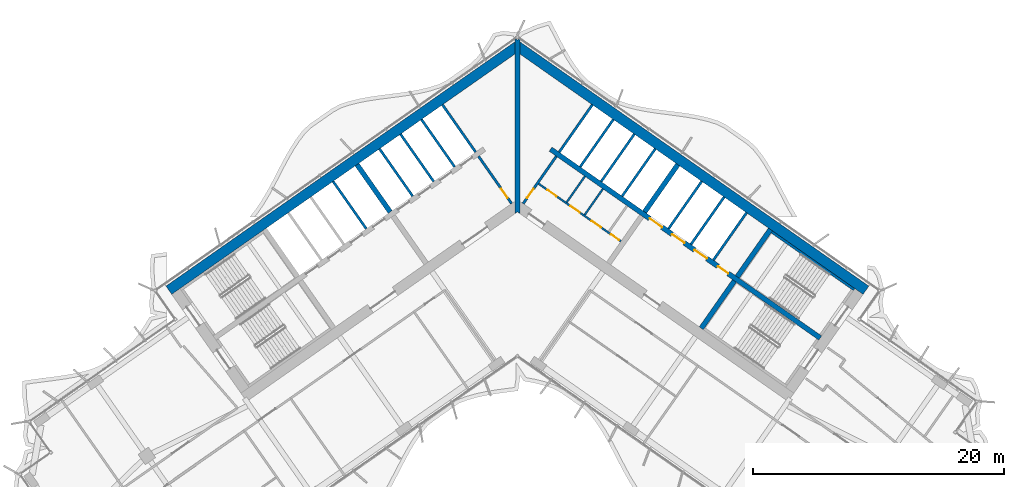
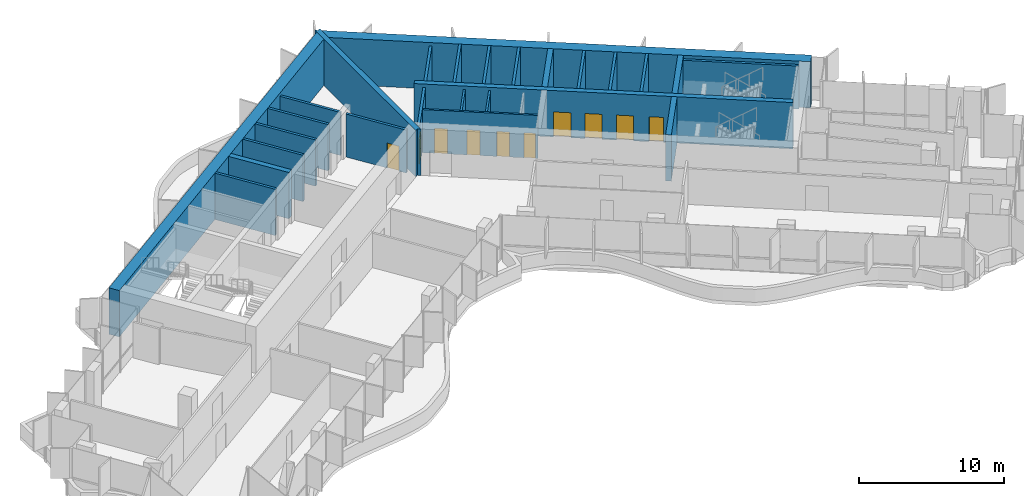
# One storey, part 14 of 21: 26 walls, 10 doors, 10 openings.
"""IFC4 building model written with IfcOpenShell, lengths in metres."""

import ifcopenshell
import ifcopenshell.guid

model = None  # the IFC model being written
_history = None  # IfcOwnerHistory: only IFC2X3 demands one
_inside = {}  # id of a spatial element -> (the spatial element, [elements in it])
_under = {}  # id of a project, library or spatial element -> (it, [spatial elements below it])
_declared = {}  # id of a project -> (the project, [libraries it declares])
_typed = {}  # id of a type object -> (the type object, [elements of that type])
_made_of = {}  # id of a material, layer set ... -> (it, [elements and type objects made of it])


def new_model(schema):
    """Start an empty IFC model of exactly this schema.

    Asked for "IFC4X3", IfcOpenShell would pick the latest addendum, in which some entities
    have other attributes; the version numbers below select the first issue.
    IFC2X3 requires an IfcOwnerHistory on every rooted entity: one is made here for all.
    """
    global model, _history
    if schema == "IFC4X3":
        model = ifcopenshell.file(schema_version=(4, 3, 0, 0))
    else:
        model = ifcopenshell.file(schema=schema)
    _inside.clear()
    _under.clear()
    _declared.clear()
    _typed.clear()
    _made_of.clear()
    _history = None
    if model.schema == "IFC2X3":
        org = make("IfcOrganization", Name="unknown")
        user = make(
            "IfcPersonAndOrganization",
            ThePerson=make("IfcPerson", FamilyName="unknown"),
            TheOrganization=org,
        )
        app = make(
            "IfcApplication",
            ApplicationDeveloper=org,
            Version="unknown",
            ApplicationFullName="unknown",
            ApplicationIdentifier="unknown",
        )
        _history = make(
            "IfcOwnerHistory",
            OwningUser=user,
            OwningApplication=app,
            ChangeAction="ADDED",
            CreationDate=0,
        )
    return model


def make(cls, **values):
    """One entity of the class cls with the attributes given. An attribute that is None is left unset."""
    return model.create_entity(
        cls, **{name: value for name, value in values.items() if value is not None}
    )


def rooted(cls, **values):
    """An entity with a GlobalId (a new one), such as an element, a storey or a relation."""
    return make(cls, GlobalId=ifcopenshell.guid.new(), OwnerHistory=_history, **values)


def si_unit(unit_type, name, prefix=None):
    """IfcSIUnit, for example si_unit("LENGTHUNIT", "METRE", prefix="MILLI")."""
    return make("IfcSIUnit", UnitType=unit_type, Prefix=prefix, Name=name)


def assignment(units):
    """IfcUnitAssignment: the units of a project."""
    return None if units is None else make("IfcUnitAssignment", Units=units)


def point(xyz):
    """IfcCartesianPoint."""
    return None if xyz is None else make("IfcCartesianPoint", Coordinates=xyz)


def direction(xyz):
    """IfcDirection."""
    return None if xyz is None else make("IfcDirection", DirectionRatios=xyz)


def frame(location, z_axis=None, x_axis=None):
    """IfcAxis2Placement3D, a coordinate frame: its origin and axes. An axis left out is left unset."""
    return make(
        "IfcAxis2Placement3D",
        Location=point(location),
        Axis=direction(z_axis),
        RefDirection=direction(x_axis),
    )


def frame_2d(location, x_axis=None):
    """IfcAxis2Placement2D, a coordinate frame in the plane: its origin and x axis."""
    return make(
        "IfcAxis2Placement2D", Location=point(location), RefDirection=direction(x_axis)
    )


def origin():
    """The frame at (0, 0, 0) with its axes left unset."""
    return frame((0.0, 0.0, 0.0))


def place(relative_to, where):
    """IfcLocalPlacement: puts the frame where relative to a parent placement (None: the world)."""
    return make(
        "IfcLocalPlacement", PlacementRelTo=relative_to, RelativePlacement=where
    )


def context(
    kind, dimensions, precision=None, world=None, true_north=None, identifier=None
):
    """IfcGeometricRepresentationContext, for example the 3D "Model" context."""
    return make(
        "IfcGeometricRepresentationContext",
        ContextIdentifier=identifier,
        ContextType=kind,
        CoordinateSpaceDimension=dimensions,
        Precision=precision,
        WorldCoordinateSystem=world,
        TrueNorth=true_north,
    )


def subcontext(parent, identifier, kind, view, scale=None):
    """IfcGeometricRepresentationSubContext, for example "Body" below "Model"."""
    return make(
        "IfcGeometricRepresentationSubContext",
        ContextIdentifier=identifier,
        ContextType=kind,
        ParentContext=parent,
        TargetScale=scale,
        TargetView=view,
    )


def project(units=None, contexts=None):
    """IfcProject with its units and contexts."""
    return rooted(
        "IfcProject",
        Name="project",
        RepresentationContexts=contexts,
        UnitsInContext=assignment(units),
    )


def spatial(cls, under=None, at=None, **own):
    """A site, building, storey or space (cls), placed at a placement, below another one or the project."""
    s = rooted(cls, ObjectPlacement=at, **own)
    if under is not None:
        _under.setdefault(under.id(), (under, []))[1].append(s)
    return s


def polyline(points):
    """IfcPolyline through the points."""
    return make("IfcPolyline", Points=[point(p) for p in points])


def profile(cls, at=None, kind="AREA", **sizes):
    """A parametric profile (cls). Its sizes go by their IFC names, for example OverallWidth=200.0."""
    return make(cls, ProfileType=kind, Position=at, **sizes)


def rectangle(**sizes):
    """IfcRectangleProfileDef."""
    return profile("IfcRectangleProfileDef", **sizes)


def outline(outer, holes=None, kind="AREA"):
    """IfcArbitraryClosedProfileDef: a profile drawn as a closed curve; with holes, ...WithVoids."""
    if holes is None:
        return make("IfcArbitraryClosedProfileDef", ProfileType=kind, OuterCurve=outer)
    return make(
        "IfcArbitraryProfileDefWithVoids",
        ProfileType=kind,
        OuterCurve=outer,
        InnerCurves=holes,
    )


def extrude(swept, where, along, depth):
    """IfcExtrudedAreaSolid: the profile swept, set in the frame where, extruded along a direction by depth."""
    return make(
        "IfcExtrudedAreaSolid",
        SweptArea=swept,
        Position=where,
        ExtrudedDirection=direction(along),
        Depth=depth,
    )


def shape(context_of_items, identifier, shape_type, items):
    """IfcShapeRepresentation: the items that make up one representation, for example the "Body"."""
    return make(
        "IfcShapeRepresentation",
        ContextOfItems=context_of_items,
        RepresentationIdentifier=identifier,
        RepresentationType=shape_type,
        Items=items,
    )


def material(Name=None, Category=None):
    """IfcMaterial."""
    return make("IfcMaterial", Name=Name, Category=Category)


def layer(
    of_material, thickness, ventilated=None, Name=None, Category=None, Priority=None
):
    """IfcMaterialLayer: one layer of a wall or slab, of a material (None: an air gap)."""
    return make(
        "IfcMaterialLayer",
        Material=of_material,
        LayerThickness=thickness,
        IsVentilated=ventilated,
        Name=Name,
        Category=Category,
        Priority=Priority,
    )


def layer_set(layers, Name=None):
    """IfcMaterialLayerSet."""
    return make("IfcMaterialLayerSet", MaterialLayers=layers, LayerSetName=Name)


def made_of(thing, what):
    """Note that an element or type object is made of a material, layer set ...; save() writes the relation."""
    if what is not None:
        _made_of.setdefault(what.id(), (what, []))[1].append(thing)
    return thing


def type_object(cls, material=None, **own):
    """A type object (cls), such as IfcWallType, which elements share."""
    return made_of(rooted(cls, **own), material)


def element(
    cls,
    number,
    at=None,
    inside=None,
    cuts=None,
    type_object=None,
    material=None,
    context=None,
    identifier="Body",
    shape_type=None,
    held_by="IfcProductDefinitionShape",
    body=None,
    shapes=None,
    **own,
):
    """One element of the class cls, such as IfcWall. Its Tag is "e" and its number.

    at: its placement. inside: the storey or other place that contains it. cuts: it is an
    opening in that element (IfcRelVoidsElement). A single representation is given by context,
    identifier, shape_type and body (its items); several are given by shapes. held_by: the class
    of the entity that holds the representations. save() writes the other relations.
    """
    e = rooted(cls, Tag="e%d" % number, ObjectPlacement=at, **own)
    if body is not None:
        shapes = [shape(context, identifier, shape_type, body)]
    if shapes is not None:
        e.Representation = make(held_by, Representations=shapes)
    if inside is not None:
        _inside.setdefault(inside.id(), (inside, []))[1].append(e)
    if cuts is not None:
        rooted(
            "IfcRelVoidsElement", RelatingBuildingElement=cuts, RelatedOpeningElement=e
        )
    if type_object is not None:
        _typed.setdefault(type_object.id(), (type_object, []))[1].append(e)
    return made_of(e, material)


def fill(opening, filler):
    """IfcRelFillsElement: the door or window that sits in an opening."""
    return rooted(
        "IfcRelFillsElement",
        RelatingOpeningElement=opening,
        RelatedBuildingElement=filler,
    )


def aggregate(whole, parts):
    """IfcRelAggregates: a whole, such as a stair, and the parts it consists of."""
    return rooted("IfcRelAggregates", RelatingObject=whole, RelatedObjects=parts)


def save(model, path):
    """Write the relations noted so far, then the file.

    IfcRelAggregates (storeys below a building ...), IfcRelContainedInSpatialStructure (elements
    in a storey), IfcRelDefinesByType, IfcRelAssociatesMaterial and IfcRelDeclares: one each for
    every whole, place, type object, material and project.
    """
    for whole, parts in _under.values():
        aggregate(whole, parts)
    for where, things in _inside.values():
        rooted(
            "IfcRelContainedInSpatialStructure",
            RelatedElements=things,
            RelatingStructure=where,
        )
    for kind, things in _typed.values():
        rooted("IfcRelDefinesByType", RelatedObjects=things, RelatingType=kind)
    for what, things in _made_of.values():
        rooted("IfcRelAssociatesMaterial", RelatedObjects=things, RelatingMaterial=what)
    for by, libraries in _declared.values():
        rooted("IfcRelDeclares", RelatingContext=by, RelatedDefinitions=libraries)
    model.write(path)


model = new_model("IFC4")

# Units and contexts
model_context = context("Model", 3, precision=1e-05, world=origin(), true_north=direction((0.0, 1.0)))
body_context = subcontext(model_context, "Body", "Model", "MODEL_VIEW")
ifc_project = project(units=[si_unit("LENGTHUNIT", "METRE"), si_unit("AREAUNIT", "SQUARE_METRE"), si_unit("VOLUMEUNIT", "CUBIC_METRE"), si_unit("PLANEANGLEUNIT", "RADIAN"), si_unit("MASSUNIT", "GRAM", prefix="KILO")], contexts=[model_context])

# Site, building, storey
site_placement = place(None, origin())
site = spatial("IfcSite", under=ifc_project, at=site_placement, CompositionType="ELEMENT")
building_placement = place(site_placement, origin())
building = spatial("IfcBuilding", under=site, at=building_placement, Name="Tel Ilan Convention Tower", CompositionType="ELEMENT")
storey_placement = place(building_placement, frame((0.0, 0.0, 151.5)))
storey = spatial("IfcBuildingStorey", under=building, at=storey_placement, Name="L34", CompositionType="ELEMENT", Elevation=151.5)

# Wall, openings, doors
ifc_material_1 = material(Name="Gypsum Plasterboard on Steel Stud", Category="steel")
ifc_layer_1 = layer(ifc_material_1, 0.14990234375)
ifc_layer_set_1 = layer_set([ifc_layer_1], Name="Core Room Partition Wall 150 mm EI 60")
wall_type_1 = type_object("IfcWallType", Name="Core Room Partition Wall 150 mm EI 60", PredefinedType="PARTITIONING", material=ifc_layer_set_1)
wall_1_placement = place(storey_placement, frame((1.687744140625, 1.015625, 0.0), z_axis=(0.0, 0.0, 1.0), x_axis=(0.819151624752, -0.573577035512, 0.0)))
wall_1 = element("IfcWall", 1, at=wall_1_placement, inside=storey, type_object=wall_type_1, Name="L34 core wall wc-h1", PredefinedType="PARTITIONING", context=body_context, shape_type="SweptSolid", body=[
    extrude(rectangle(XDim=8.0, YDim=0.14990234375, at=frame_2d((4.0, 0.0))), origin(), (0.0, 0.0, 1.0), 3.6201171875),
])
opening_1_placement = place(wall_1_placement, frame((0.85009765625, 0.0, 0.0)))
opening_1 = element("IfcOpeningElement", 2, at=opening_1_placement, cuts=wall_1, Name="Opening CD2711", PredefinedType="OPENING", context=body_context, shape_type="SweptSolid", body=[
    extrude(rectangle(XDim=0.89990234375, YDim=2.10009765625, at=frame_2d((0.449951171875, 1.050048828125))), frame((0.0, 0.0849609375, 0.0), z_axis=(0.0, -1.0, 0.0), x_axis=(1.0, 0.0, 0.0)), (0.0, 0.0, 1.0), 0.169921875),
])
opening_2_placement = place(wall_1_placement, frame((3.10009765625, 0.0, 0.0)))
opening_2 = element("IfcOpeningElement", 3, at=opening_2_placement, cuts=wall_1, Name="Opening CD2708", PredefinedType="OPENING", context=body_context, shape_type="SweptSolid", body=[
    extrude(rectangle(XDim=0.89990234375, YDim=2.10009765625, at=frame_2d((0.449951171875, 1.050048828125))), frame((0.0, 0.0849609375, 0.0), z_axis=(0.0, -1.0, 0.0), x_axis=(1.0, 0.0, 0.0)), (0.0, 0.0, 1.0), 0.169921875),
])
opening_3_placement = place(wall_1_placement, frame((5.14990234375, 0.0, 0.0)))
opening_3 = element("IfcOpeningElement", 4, at=opening_3_placement, cuts=wall_1, Name="Opening CD2710", PredefinedType="OPENING", context=body_context, shape_type="SweptSolid", body=[
    extrude(rectangle(XDim=0.89990234375, YDim=2.10009765625, at=frame_2d((0.449951171875, 1.050048828125))), frame((0.0, 0.0849609375, 0.0), z_axis=(0.0, -1.0, 0.0), x_axis=(1.0, 0.0, 0.0)), (0.0, 0.0, 1.0), 0.169921875),
])
opening_4_placement = place(wall_1_placement, frame((7.02490234375, 0.0, 0.0)))
opening_4 = element("IfcOpeningElement", 5, at=opening_4_placement, cuts=wall_1, Name="Opening CD2709", PredefinedType="OPENING", context=body_context, shape_type="SweptSolid", body=[
    extrude(rectangle(XDim=0.800048828125, YDim=2.10009765625, at=frame_2d((0.39990234375, 1.050048828125))), frame((0.0, 0.0849609375, 0.0), z_axis=(0.0, -1.0, 0.0), x_axis=(1.0, 0.0, 0.0)), (0.0, 0.0, 1.0), 0.169921875),
])
ifc_material_2 = material(Name="Galvanised Steel Door Leaf", Category="steel")
door_type_1 = type_object("IfcDoorType", Name="Store Door 800 x 2100 FD60", OperationType="NOTDEFINED", PredefinedType="DOOR", material=ifc_material_2)
door_1_placement = place(opening_4_placement, origin())
door_1 = element("IfcDoor", 6, at=door_1_placement, inside=storey, type_object=door_type_1, Name="Cleaner's store door", OperationType="SINGLE_SWING_RIGHT", OverallHeight=2.10009765625, OverallWidth=0.800048828125, PredefinedType="DOOR", context=body_context, shape_type="SweptSolid", body=[
    extrude(rectangle(XDim=0.800048828125, YDim=2.10009765625, at=frame_2d((0.39990234375, 1.050048828125))), frame((0.0, 0.02490234375, 0.0), z_axis=(0.0, -1.0, 0.0), x_axis=(1.0, 0.0, 0.0)), (0.0, 0.0, 1.0), 0.050048828125),
])
fill(opening_4, door_1)
ifc_material_3 = material(Name="Laminated Timber Door Leaf", Category="wood")
door_type_2 = type_object("IfcDoorType", Name="Toilet Door 900 x 2100 FD30S", OperationType="NOTDEFINED", PredefinedType="DOOR", material=ifc_material_3)
door_2_placement = place(opening_1_placement, origin())
door_2 = element("IfcDoor", 7, at=door_2_placement, inside=storey, type_object=door_type_2, Name="Women's WC door", OperationType="SINGLE_SWING_RIGHT", OverallHeight=2.10009765625, OverallWidth=0.89990234375, PredefinedType="DOOR", context=body_context, shape_type="SweptSolid", body=[
    extrude(rectangle(XDim=0.89990234375, YDim=2.10009765625, at=frame_2d((0.449951171875, 1.050048828125))), frame((0.0, 0.02490234375, 0.0), z_axis=(0.0, -1.0, 0.0), x_axis=(1.0, 0.0, 0.0)), (0.0, 0.0, 1.0), 0.050048828125),
])
fill(opening_1, door_2)
door_3_placement = place(opening_2_placement, origin())
door_3 = element("IfcDoor", 8, at=door_3_placement, inside=storey, type_object=door_type_2, Name="Accessible WC door", OperationType="SINGLE_SWING_RIGHT", OverallHeight=2.10009765625, OverallWidth=0.89990234375, PredefinedType="DOOR", context=body_context, shape_type="SweptSolid", body=[
    extrude(rectangle(XDim=0.89990234375, YDim=2.10009765625, at=frame_2d((0.449951171875, 1.050048828125))), frame((0.0, 0.02490234375, 0.0), z_axis=(0.0, -1.0, 0.0), x_axis=(1.0, 0.0, 0.0)), (0.0, 0.0, 1.0), 0.050048828125),
])
fill(opening_2, door_3)
door_4_placement = place(opening_3_placement, origin())
door_4 = element("IfcDoor", 9, at=door_4_placement, inside=storey, type_object=door_type_2, Name="Men's WC door", OperationType="SINGLE_SWING_RIGHT", OverallHeight=2.10009765625, OverallWidth=0.89990234375, PredefinedType="DOOR", context=body_context, shape_type="SweptSolid", body=[
    extrude(rectangle(XDim=0.89990234375, YDim=2.10009765625, at=frame_2d((0.449951171875, 1.050048828125))), frame((0.0, 0.02490234375, 0.0), z_axis=(0.0, -1.0, 0.0), x_axis=(1.0, 0.0, 0.0)), (0.0, 0.0, 1.0), 0.050048828125),
])
fill(opening_3, door_4)

# Walls
for number, where, z_axis, x_axis, name in (
    (10, (3.922119140625, -0.457275390625, 0.0), (0.0, 0.0, 1.0), (0.573566168143, 0.81915923407, 0.0), "L34 core wall wc-v0"),
    (11, (5.35546875, -1.4609375, 0.0), (0.0, 0.0, 1.0), (0.573566168143, 0.81915923407, 0.0), "L34 core wall wc-v1"),
):
    element("IfcWall", number, at=place(storey_placement, frame(where, z_axis=z_axis, x_axis=x_axis)), inside=storey, type_object=wall_type_1, Name=name, PredefinedType="PARTITIONING", context=body_context, shape_type="SweptSolid", body=[
        extrude(rectangle(XDim=2.52490234375, YDim=0.14990234375, at=frame_2d((1.262451171875, 0.0))), origin(), (0.0, 0.0, 1.0), 3.6201171875),
    ])

# Wall, opening, door
ifc_material_4 = material(Name="Concrete C30/37", Category="concrete")
ifc_layer_2 = layer(ifc_material_4, 0.199951171875)
ifc_layer_set_2 = layer_set([ifc_layer_2], Name="Core Service Room Wall 200 mm C30/37")
wall_type_2 = type_object("IfcWallType", Name="Core Service Room Wall 200 mm C30/37", PredefinedType="SOLIDWALL", material=ifc_layer_set_2)
wall_2_placement = place(storey_placement, frame((-0.458740234375, -0.565185546875, 0.0), z_axis=(0.0, 0.0, 1.0), x_axis=(-0.573576324356, 0.819152122709, 0.0)))
wall_2 = element("IfcWall", 12, at=wall_2_placement, inside=storey, type_object=wall_type_2, Name="L34 core wall apex-W", PredefinedType="SOLIDWALL", context=body_context, shape_type="SweptSolid", body=[
    extrude(rectangle(XDim=4.599853515625, YDim=0.199951171875, at=frame_2d((2.2998046875, 0.0))), origin(), (0.0, 0.0, 1.0), 3.6201171875),
])
opening_5_placement = place(wall_2_placement, frame((0.550048828125, 0.0, 0.0)))
opening_5 = element("IfcOpeningElement", 13, at=opening_5_placement, cuts=wall_2, Name="Opening CD2702", PredefinedType="OPENING", context=body_context, shape_type="SweptSolid", body=[
    extrude(rectangle(XDim=0.89990234375, YDim=2.10009765625, at=frame_2d((0.449951171875, 1.050048828125))), frame((0.0, 0.10986328125, 0.0), z_axis=(0.0, -1.0, 0.0), x_axis=(1.0, 0.0, 0.0)), (0.0, 0.0, 1.0), 0.219970703125),
])
ifc_material_5 = material(Name="Galvanised Steel Door Leaf", Category="steel")
door_type_3 = type_object("IfcDoorType", Name="Service Room Door 900 x 2100 FD60", OperationType="NOTDEFINED", PredefinedType="DOOR", material=ifc_material_5)
door_5_placement = place(opening_5_placement, origin())
door_5 = element("IfcDoor", 14, at=door_5_placement, inside=storey, type_object=door_type_3, Name="Telecom Room door", OperationType="SINGLE_SWING_RIGHT", OverallHeight=2.10009765625, OverallWidth=0.89990234375, PredefinedType="DOOR", context=body_context, shape_type="SweptSolid", body=[
    extrude(rectangle(XDim=0.89990234375, YDim=2.10009765625, at=frame_2d((0.449951171875, 1.050048828125))), frame((0.0, 0.02490234375, 0.0), z_axis=(0.0, -1.0, 0.0), x_axis=(1.0, 0.0, 0.0)), (0.0, 0.0, 1.0), 0.050048828125),
])
fill(opening_5, door_5)

# Wall
wall_3_placement = place(storey_placement, frame((-3.32666015625, 3.530517578125, 0.0), z_axis=(0.0, 0.0, 1.0), x_axis=(-0.573576324356, 0.819152122709, 0.0)))
element("IfcWall", 15, at=wall_3_placement, inside=storey, type_object=wall_type_2, Name="L34 core wall apex-W-b", PredefinedType="SOLIDWALL", context=body_context, shape_type="SweptSolid", body=[
    extrude(rectangle(XDim=4.599853515625, YDim=0.199951171875, at=frame_2d((2.2998046875, 0.0))), origin(), (0.0, 0.0, 1.0), 3.6201171875),
])

# Wall, opening, door
wall_4_placement = place(storey_placement, frame((0.458740234375, -0.565185546875, 0.0), z_axis=(0.0, 0.0, 1.0), x_axis=(0.573576324356, 0.819152122709, 0.0)))
wall_4 = element("IfcWall", 16, at=wall_4_placement, inside=storey, type_object=wall_type_2, Name="L34 core wall apex-E", PredefinedType="SOLIDWALL", context=body_context, shape_type="SweptSolid", body=[
    extrude(rectangle(XDim=4.599853515625, YDim=0.199951171875, at=frame_2d((2.2998046875, 0.0))), origin(), (0.0, 0.0, 1.0), 3.6201171875),
])
opening_6_placement = place(wall_4_placement, frame((0.550048828125, 0.0, 0.0)))
opening_6 = element("IfcOpeningElement", 17, at=opening_6_placement, cuts=wall_4, Name="Opening CD2701", PredefinedType="OPENING", context=body_context, shape_type="SweptSolid", body=[
    extrude(rectangle(XDim=0.89990234375, YDim=2.10009765625, at=frame_2d((0.449951171875, 1.050048828125))), frame((0.0, 0.10986328125, 0.0), z_axis=(0.0, -1.0, 0.0), x_axis=(1.0, 0.0, 0.0)), (0.0, 0.0, 1.0), 0.219970703125),
])
door_6_placement = place(opening_6_placement, origin())
door_6 = element("IfcDoor", 18, at=door_6_placement, inside=storey, type_object=door_type_3, Name="Data Room door", OperationType="SINGLE_SWING_RIGHT", OverallHeight=2.10009765625, OverallWidth=0.89990234375, PredefinedType="DOOR", context=body_context, shape_type="SweptSolid", body=[
    extrude(rectangle(XDim=0.89990234375, YDim=2.10009765625, at=frame_2d((0.449951171875, 1.050048828125))), frame((0.0, 0.02490234375, 0.0), z_axis=(0.0, -1.0, 0.0), x_axis=(1.0, 0.0, 0.0)), (0.0, 0.0, 1.0), 0.050048828125),
])
fill(opening_6, door_6)

# Walls
wall_5_placement = place(storey_placement, frame((3.32666015625, 3.530517578125, 0.0), z_axis=(0.0, 0.0, 1.0), x_axis=(0.573576324356, 0.819152122709, 0.0)))
element("IfcWall", 19, at=wall_5_placement, inside=storey, type_object=wall_type_2, Name="L34 core wall apex-E-b", PredefinedType="SOLIDWALL", context=body_context, shape_type="SweptSolid", body=[
    extrude(rectangle(XDim=4.599853515625, YDim=0.199951171875, at=frame_2d((2.2998046875, 0.0))), origin(), (0.0, 0.0, 1.0), 3.6201171875),
])
ifc_material_6 = material(Name="Concrete C50/60", Category="concrete")
ifc_layer_3 = layer(ifc_material_6, 0.39990234375)
ifc_layer_set_3 = layer_set([ifc_layer_3], Name="Core Shear Wall 400 mm C50/60")
wall_type_3 = type_object("IfcWallType", Name="Core Shear Wall 400 mm C50/60", PredefinedType="SHEAR", material=ifc_layer_set_3)
wall_6_placement = place(storey_placement, frame((-10.12548828125, -1.230224609375, 0.0), z_axis=(0.0, 0.0, 1.0), x_axis=(-0.573576324356, 0.819152122709, 0.0)))
element("IfcWall", 20, at=wall_6_placement, inside=storey, type_object=wall_type_3, Name="L34 core wall W-cross1-2", PredefinedType="SHEAR", context=body_context, shape_type="SweptSolid", body=[
    extrude(outline(polyline([(4.60009765625, -0.199951171875), (4.599853515625, 0.199951171875), (0.0, 0.2001953125), (0.0, -0.199951171875), (4.60009765625, -0.199951171875)])), origin(), (0.0, 0.0, 1.0), 3.89990234375),
])
wall_7_placement = place(storey_placement, frame((10.12548828125, -1.230224609375, 0.0), z_axis=(0.0, 0.0, 1.0), x_axis=(0.573576324356, 0.819152122709, 0.0)))
element("IfcWall", 21, at=wall_7_placement, inside=storey, type_object=wall_type_3, Name="L34 core wall E-cross1-2", PredefinedType="SHEAR", context=body_context, shape_type="SweptSolid", body=[
    extrude(outline(polyline([(4.599853515625, -0.199951171875), (4.60009765625, 0.199951171875), (0.0, 0.199951171875), (0.0, -0.2001953125), (4.599853515625, -0.199951171875)])), origin(), (0.0, 0.0, 1.0), 3.89990234375),
])
wall_8_placement = place(storey_placement, frame((14.6298828125, -10.48828125, 0.0), z_axis=(0.0, 0.0, 1.0), x_axis=(0.573611936273, 0.819127185829, 0.0)))
element("IfcWall", 22, at=wall_8_placement, inside=storey, type_object=wall_type_3, Name="L34 core wall E-cross2-1", PredefinedType="SHEAR", context=body_context, shape_type="SweptSolid", body=[
    extrude(outline(polyline([(0.000244140625, 0.199951171875), (0.000244140625, -0.2001953125), (4.60009765625, -0.199951171875), (4.60009765625, 0.2001953125), (0.000244140625, 0.199951171875)])), origin(), (0.0, 0.0, 1.0), 3.89990234375),
])
wall_9_placement = place(storey_placement, frame((17.497802734375, -6.392333984375, 0.0), z_axis=(0.0, 0.0, 1.0), x_axis=(0.573611936273, 0.819127185829, 0.0)))
element("IfcWall", 23, at=wall_9_placement, inside=storey, type_object=wall_type_3, Name="L34 core wall E-cross2-2", PredefinedType="SHEAR", context=body_context, shape_type="SweptSolid", body=[
    extrude(outline(polyline([(4.599853515625, -0.199951171875), (4.599853515625, 0.2001953125), (0.0, 0.199951171875), (0.0, -0.2001953125), (4.599853515625, -0.199951171875)])), origin(), (0.0, 0.0, 1.0), 3.89990234375),
])

# Wall, openings, doors
wall_10_placement = place(storey_placement, frame((2.638427734375, 3.76806640625, 0.0), z_axis=(0.0, 0.0, 1.0), x_axis=(0.81915267502, -0.573575535572, 0.0)))
wall_10 = element("IfcWall", 24, at=wall_10_placement, inside=storey, type_object=wall_type_3, Name="L34 core wall E-spine", PredefinedType="SHEAR", context=body_context, shape_type="SweptSolid", body=[
    extrude(outline(polyline([(0.0, 0.199951171875), (0.0, -0.199951171875), (26.199951171875, -0.199951171875), (26.199951171875, 0.199951171875), (0.0, 0.199951171875)])), origin(), (0.0, 0.0, 1.0), 3.89990234375),
])
opening_7_placement = place(wall_10_placement, frame((9.637451171875, 0.0, 0.0)))
opening_7 = element("IfcOpeningElement", 25, at=opening_7_placement, cuts=wall_10, Name="Opening LD2701", PredefinedType="OPENING", context=body_context, shape_type="SweptSolid", body=[
    extrude(rectangle(XDim=1.199951171875, YDim=2.10009765625, at=frame_2d((0.60009765625, 1.050048828125))), frame((0.0, 0.2099609375, 0.0), z_axis=(0.0, -1.0, 0.0), x_axis=(1.0, 0.0, 0.0)), (0.0, 0.0, 1.0), 0.419921875),
])
opening_8_placement = place(wall_10_placement, frame((11.8125, 0.0, 0.0)))
opening_8 = element("IfcOpeningElement", 26, at=opening_8_placement, cuts=wall_10, Name="Opening LD2702", PredefinedType="OPENING", context=body_context, shape_type="SweptSolid", body=[
    extrude(rectangle(XDim=1.199951171875, YDim=2.10009765625, at=frame_2d((0.60009765625, 1.050048828125))), frame((0.0, 0.2099609375, 0.0), z_axis=(0.0, -1.0, 0.0), x_axis=(1.0, 0.0, 0.0)), (0.0, 0.0, 1.0), 0.419921875),
])
opening_9_placement = place(wall_10_placement, frame((13.987548828125, 0.0, 0.0)))
opening_9 = element("IfcOpeningElement", 27, at=opening_9_placement, cuts=wall_10, Name="Opening LD2703", PredefinedType="OPENING", context=body_context, shape_type="SweptSolid", body=[
    extrude(rectangle(XDim=1.199951171875, YDim=2.10009765625, at=frame_2d((0.60009765625, 1.050048828125))), frame((0.0, 0.2099609375, 0.0), z_axis=(0.0, -1.0, 0.0), x_axis=(1.0, 0.0, 0.0)), (0.0, 0.0, 1.0), 0.419921875),
])
opening_10_placement = place(wall_10_placement, frame((16.262451171875, 0.0, 0.0)))
opening_10 = element("IfcOpeningElement", 28, at=opening_10_placement, cuts=wall_10, Name="Opening CD2707", PredefinedType="OPENING", context=body_context, shape_type="SweptSolid", body=[
    extrude(rectangle(XDim=1.0, YDim=2.10009765625, at=frame_2d((0.5, 1.050048828125))), frame((0.0, 0.2099609375, 0.0), z_axis=(0.0, -1.0, 0.0), x_axis=(1.0, 0.0, 0.0)), (0.0, 0.0, 1.0), 0.419921875),
])
ifc_material_7 = material(Name="Stainless Steel Sliding Door Leaf", Category="steel")
door_type_4 = type_object("IfcDoorType", Name="Lift Landing Door 1200 x 2100 FD120", OperationType="NOTDEFINED", PredefinedType="DOOR", material=ifc_material_7)
door_7_placement = place(opening_7_placement, origin())
door_7 = element("IfcDoor", 29, at=door_7_placement, inside=storey, type_object=door_type_4, Name="Lift FL1 landing door", OperationType="SLIDING_TO_LEFT", OverallHeight=2.10009765625, OverallWidth=1.199951171875, PredefinedType="DOOR", context=body_context, shape_type="SweptSolid", body=[
    extrude(rectangle(XDim=1.199951171875, YDim=2.10009765625, at=frame_2d((0.60009765625, 1.050048828125))), frame((0.0, 0.02490234375, 0.0), z_axis=(0.0, -1.0, 0.0), x_axis=(1.0, 0.0, 0.0)), (0.0, 0.0, 1.0), 0.050048828125),
])
fill(opening_7, door_7)
door_8_placement = place(opening_8_placement, origin())
door_8 = element("IfcDoor", 30, at=door_8_placement, inside=storey, type_object=door_type_4, Name="Lift FL2 landing door", OperationType="SLIDING_TO_RIGHT", OverallHeight=2.10009765625, OverallWidth=1.199951171875, PredefinedType="DOOR", context=body_context, shape_type="SweptSolid", body=[
    extrude(rectangle(XDim=1.199951171875, YDim=2.10009765625, at=frame_2d((0.60009765625, 1.050048828125))), frame((0.0, 0.02490234375, 0.0), z_axis=(0.0, -1.0, 0.0), x_axis=(1.0, 0.0, 0.0)), (0.0, 0.0, 1.0), 0.050048828125),
])
fill(opening_8, door_8)
door_9_placement = place(opening_9_placement, origin())
door_9 = element("IfcDoor", 31, at=door_9_placement, inside=storey, type_object=door_type_4, Name="Lift FL3 landing door", OperationType="SLIDING_TO_LEFT", OverallHeight=2.10009765625, OverallWidth=1.199951171875, PredefinedType="DOOR", context=body_context, shape_type="SweptSolid", body=[
    extrude(rectangle(XDim=1.199951171875, YDim=2.10009765625, at=frame_2d((0.60009765625, 1.050048828125))), frame((0.0, 0.02490234375, 0.0), z_axis=(0.0, -1.0, 0.0), x_axis=(1.0, 0.0, 0.0)), (0.0, 0.0, 1.0), 0.050048828125),
])
fill(opening_9, door_9)
ifc_material_8 = material(Name="Galvanised Steel Door Leaf", Category="steel")
door_type_5 = type_object("IfcDoorType", Name="Service Room Door 1000 x 2100 FD60", OperationType="NOTDEFINED", PredefinedType="DOOR", material=ifc_material_8)
door_10_placement = place(opening_10_placement, origin())
door_10 = element("IfcDoor", 32, at=door_10_placement, inside=storey, type_object=door_type_5, Name="Plant Room door", OperationType="SINGLE_SWING_RIGHT", OverallHeight=2.10009765625, OverallWidth=1.0, PredefinedType="DOOR", context=body_context, shape_type="SweptSolid", body=[
    extrude(rectangle(XDim=1.0, YDim=2.10009765625, at=frame_2d((0.5, 1.050048828125))), frame((0.0, 0.02490234375, 0.0), z_axis=(0.0, -1.0, 0.0), x_axis=(1.0, 0.0, 0.0)), (0.0, 0.0, 1.0), 0.050048828125),
])
fill(opening_10, door_10)

# Walls
wall_11_placement = place(storey_placement, frame((0.0, -1.36083984375, 0.0), z_axis=(0.0, 0.0, 1.0), x_axis=(0.0, 1.0, 0.0)))
element("IfcWall", 33, at=wall_11_placement, inside=storey, type_object=wall_type_3, Name="L34 core wall K-central", PredefinedType="SHEAR", context=body_context, shape_type="SweptSolid", body=[
    extrude(outline(polyline([(0.0, -0.199951171875), (0.14013671875, -0.199951171875), (1.0751953125, -0.199951171875), (12.696044921875, -0.199951171875), (13.812744140625, -0.199951171875), (13.893310546875, -0.199951171875), (13.933349609375, -0.172119140625), (13.812744140625, 0.0), (13.933349609375, 0.172119140625), (13.893310546875, 0.199951171875), (13.812744140625, 0.199951171875), (12.696044921875, 0.199951171875), (1.0751953125, 0.199951171875), (0.14013671875, 0.199951171875), (0.0, 0.199951171875), (0.14013671875, 0.0), (0.0, -0.199951171875)])), origin(), (0.0, 0.0, 1.0), 3.89990234375),
])
ifc_material_9 = material(Name="Concrete C50/60", Category="concrete")
ifc_layer_4 = layer(ifc_material_9, 0.800048828125)
ifc_layer_set_4 = layer_set([ifc_layer_4], Name="Core Shear Wall 800 mm C50/60")
wall_type_4 = type_object("IfcWallType", Name="Core Shear Wall 800 mm C50/60", PredefinedType="SHEAR", material=ifc_layer_set_4)
wall_12_placement = place(storey_placement, frame((0.029296875, 11.984130859375, 0.0), z_axis=(0.0, 0.0, 1.0), x_axis=(-0.819151382952, -0.573577380837, 0.0)))
element("IfcWall", 34, at=wall_12_placement, inside=storey, type_object=wall_type_4, Name="L34 core wall W-back", PredefinedType="SHEAR", context=body_context, shape_type="SweptSolid", body=[
    extrude(outline(polyline([(33.897705078125, 0.39990234375), (0.56005859375, 0.400146484375), (-0.000244140625, -0.39990234375), (33.897705078125, -0.400146484375), (33.897705078125, 0.39990234375)])), origin(), (0.0, 0.0, 1.0), 3.89990234375),
])
wall_13_placement = place(storey_placement, frame((-0.029296875, 11.984130859375, 0.0), z_axis=(0.0, 0.0, 1.0), x_axis=(0.819151382952, -0.573577380837, 0.0)))
element("IfcWall", 35, at=wall_13_placement, inside=storey, type_object=wall_type_4, Name="L34 core wall E-back", PredefinedType="SHEAR", context=body_context, shape_type="SweptSolid", body=[
    extrude(outline(polyline([(33.897705078125, 0.400146484375), (-0.000244140625, 0.39990234375), (0.56005859375, -0.400146484375), (33.897705078125, -0.39990234375), (33.897705078125, 0.400146484375)])), origin(), (0.0, 0.0, 1.0), 3.89990234375),
])
ifc_material_10 = material(Name="Concrete C30/37", Category="concrete")
ifc_layer_5 = layer(ifc_material_10, 0.199951171875)
ifc_layer_set_5 = layer_set([ifc_layer_5], Name="Lift Shaft Wall 200 mm C30/37")
wall_type_5 = type_object("IfcWallType", Name="Lift Shaft Wall 200 mm C30/37", PredefinedType="SOLIDWALL", material=ifc_layer_set_5)
for number, where, z_axis, x_axis, name in (
    (36, (-4.99560546875, 2.36181640625, 0.0), (0.0, 0.0, 1.0), (-0.573576324356, 0.819152122709, 0.0), "L34 core wall bank-W1-p0"),
    (37, (-6.66455078125, 1.193115234375, 0.0), (0.0, 0.0, 1.0), (-0.573576324356, 0.819152122709, 0.0), "L34 core wall bank-W1-p1"),
):
    element("IfcWall", number, at=place(storey_placement, frame(where, z_axis=z_axis, x_axis=x_axis)), inside=storey, type_object=wall_type_5, Name=name, PredefinedType="SOLIDWALL", context=body_context, shape_type="SweptSolid", body=[
        extrude(rectangle(XDim=4.599853515625, YDim=0.199951171875, at=frame_2d((2.2998046875, 0.0))), origin(), (0.0, 0.0, 1.0), 3.89990234375),
    ])
wall_14_placement = place(storey_placement, frame((-8.33349609375, 0.0244140625, 0.0), z_axis=(0.0, 0.0, 1.0), x_axis=(-0.573611936273, 0.819127185829, 0.0)))
element("IfcWall", 38, at=wall_14_placement, inside=storey, type_object=wall_type_5, Name="L34 core wall bank-W1-p2", PredefinedType="SOLIDWALL", context=body_context, shape_type="SweptSolid", body=[
    extrude(rectangle(XDim=4.60009765625, YDim=0.199951171875, at=frame_2d((2.300048828125, 0.0))), origin(), (0.0, 0.0, 1.0), 3.89990234375),
])
for number, where, z_axis, x_axis, name in (
    (39, (-12.030029296875, -2.563720703125, 0.0), (0.0, 0.0, 1.0), (-0.573576324356, 0.819152122709, 0.0), "L34 core wall bank-W2-p0"),
    (40, (4.99560546875, 2.36181640625, 0.0), (0.0, 0.0, 1.0), (0.573576324356, 0.819152122709, 0.0), "L34 core wall bank-E1-p0"),
    (41, (6.66455078125, 1.193115234375, 0.0), (0.0, 0.0, 1.0), (0.573576324356, 0.819152122709, 0.0), "L34 core wall bank-E1-p1"),
):
    element("IfcWall", number, at=place(storey_placement, frame(where, z_axis=z_axis, x_axis=x_axis)), inside=storey, type_object=wall_type_5, Name=name, PredefinedType="SOLIDWALL", context=body_context, shape_type="SweptSolid", body=[
        extrude(rectangle(XDim=4.599853515625, YDim=0.199951171875, at=frame_2d((2.2998046875, 0.0))), origin(), (0.0, 0.0, 1.0), 3.89990234375),
    ])
wall_15_placement = place(storey_placement, frame((8.33349609375, 0.0244140625, 0.0), z_axis=(0.0, 0.0, 1.0), x_axis=(0.573611936273, 0.819127185829, 0.0)))
element("IfcWall", 42, at=wall_15_placement, inside=storey, type_object=wall_type_5, Name="L34 core wall bank-E1-p2", PredefinedType="SOLIDWALL", context=body_context, shape_type="SweptSolid", body=[
    extrude(rectangle(XDim=4.60009765625, YDim=0.199951171875, at=frame_2d((2.300048828125, 0.0))), origin(), (0.0, 0.0, 1.0), 3.89990234375),
])
for number, where, z_axis, x_axis, name in (
    (43, (12.030029296875, -2.563720703125, 0.0), (0.0, 0.0, 1.0), (0.573576324356, 0.819152122709, 0.0), "L34 core wall bank-E2-p0"),
    (44, (13.811767578125, -3.811279296875, 0.0), (0.0, 0.0, 1.0), (0.573576324356, 0.819152122709, 0.0), "L34 core wall bank-E2-p1"),
    (45, (15.593505859375, -5.058837890625, 0.0), (0.0, 0.0, 1.0), (0.573540709186, 0.819177059558, 0.0), "L34 core wall bank-E2-p2"),
):
    element("IfcWall", number, at=place(storey_placement, frame(where, z_axis=z_axis, x_axis=x_axis)), inside=storey, type_object=wall_type_5, Name=name, PredefinedType="SOLIDWALL", context=body_context, shape_type="SweptSolid", body=[
        extrude(rectangle(XDim=4.599853515625, YDim=0.199951171875, at=frame_2d((2.2998046875, 0.0))), origin(), (0.0, 0.0, 1.0), 3.89990234375),
    ])
ifc_material_11 = material(Name="Concrete C30/37", Category="concrete")
ifc_layer_6 = layer(ifc_material_11, 0.199951171875)
ifc_layer_set_6 = layer_set([ifc_layer_6], Name="Stair and Shaft Lining Wall 200 mm C30/37")
wall_type_6 = type_object("IfcWallType", Name="Stair and Shaft Lining Wall 200 mm C30/37", PredefinedType="SOLIDWALL", material=ifc_layer_set_6)
wall_16_placement = place(storey_placement, frame((20.242919921875, -2.821044921875, 0.0), z_axis=(0.0, 0.0, 1.0), x_axis=(0.819141584393, -0.57359137434, 0.0)))
element("IfcWall", 46, at=wall_16_placement, inside=storey, type_object=wall_type_6, Name="L34 core wall lining-S3-t1", PredefinedType="SOLIDWALL", context=body_context, shape_type="SweptSolid", body=[
    extrude(rectangle(XDim=7.999755859375, YDim=0.199951171875, at=frame_2d((4.0, 0.0))), origin(), (0.0, 0.0, 1.0), 3.6201171875),
])

save(model, "model.ifc")
